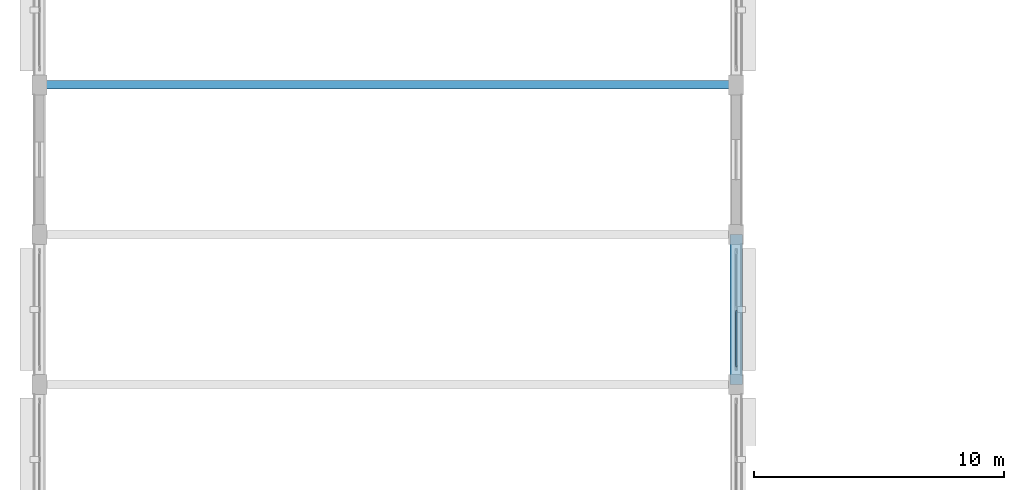
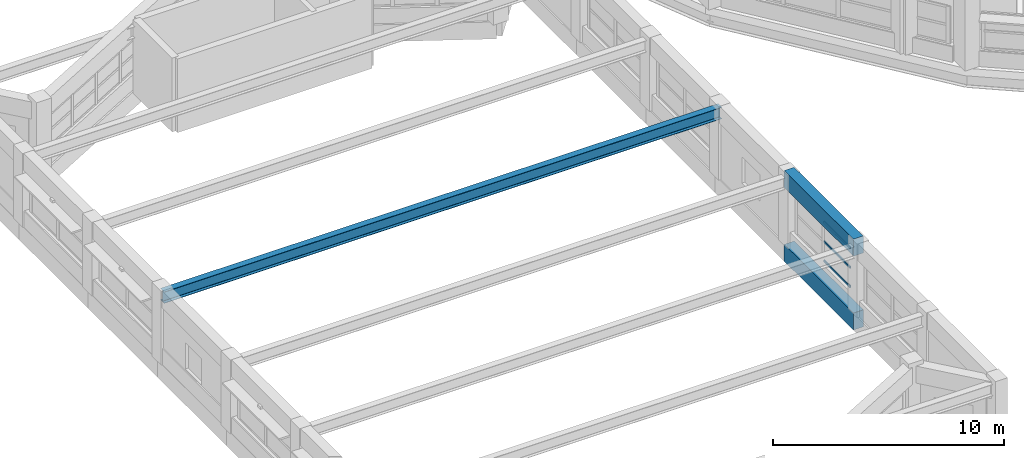
# One storey, part 13 of 108: 3 beams, 3 members, 1 element without a shape of its own.
"""IFC4 building model written with IfcOpenShell, lengths in metres."""

from ifc_helpers import new_model, si_unit, direction, frame, origin, origin_2d, place, context, subcontext, project, spatial, rectangle, hollow_rectangle, i_section, extrude, material, layer, layer_set, material_profile, profile_set, type_object, element, aggregate, save


model = new_model("IFC4")

# Units and contexts
model_context = context("Model", 3, precision=1e-05, world=origin(), true_north=direction((0.0, 1.0)))
body_context = subcontext(model_context, "Body", "Model", "MODEL_VIEW")
ifc_project = project(units=[si_unit("LENGTHUNIT", "METRE"), si_unit("AREAUNIT", "SQUARE_METRE"), si_unit("VOLUMEUNIT", "CUBIC_METRE"), si_unit("PLANEANGLEUNIT", "RADIAN"), si_unit("MASSUNIT", "GRAM", prefix="KILO")], contexts=[model_context])

# Site, building, storey
site_placement = place(None, origin())
site = spatial("IfcSite", under=ifc_project, at=site_placement, CompositionType="ELEMENT")
building_placement = place(site_placement, origin())
building = spatial("IfcBuilding", under=site, at=building_placement, Name="Vespera Passage Community Centre", CompositionType="ELEMENT")
storey_placement = place(building_placement, frame((0.0, 0.0, 12.60009765625)))
storey = spatial("IfcBuildingStorey", under=building, at=storey_placement, Name="L03", CompositionType="ELEMENT", Elevation=12.60009765625)

# Beams
ifc_material_1 = material(Name="Steel ASTM A992 Grade 50", Category="steel")
ifc_material_profile_1 = material_profile(ifc_material_1, i_section(OverallWidth=0.323974609375, OverallDepth=0.611083984375, WebThickness=0.0126953125, FlangeThickness=0.01904296875, FilletRadius=0.0126953125, at=origin_2d()), Name="W24X104")
ifc_profile_set_1 = profile_set([ifc_material_profile_1], Name="Steel ASTM A992 Grade 50")
beam_type_1 = type_object("IfcBeamType", Name="BM-G-W24X104", PredefinedType="BEAM", material=ifc_profile_set_1)
beam_placement = place(storey_placement, frame((4.050048828125, 31.0, 3.314453125), z_axis=(1.0, 0.0, 0.0), x_axis=(0.0, 1.0, 0.0)))
element("IfcBeam", 1, at=beam_placement, inside=storey, type_object=beam_type_1, Name="Main Hall Vault Thrust Tie 5", PredefinedType="BEAM", context=body_context, shape_type="SweptSolid", body=[
    extrude(i_section(OverallWidth=0.323974609375, OverallDepth=0.611083984375, WebThickness=0.0126953125, FlangeThickness=0.01904296875, FilletRadius=0.0126953125, at=origin_2d()), origin(), (0.0, 0.0, 1.0), 27.89990234375),
])
ifc_material_2 = material(Name="Concrete f'c 45 MPa", Category="concrete")
ifc_material_profile_2 = material_profile(ifc_material_2, rectangle(XDim=0.5, YDim=0.89990234375, at=origin_2d()), Name="RC500X900")
ifc_profile_set_2 = profile_set([ifc_material_profile_2], Name="Concrete f'c 45 MPa")
beam_type_2 = type_object("IfcBeamType", Name="BM-SP-500X900E", PredefinedType="SPANDREL", material=ifc_profile_set_2)
for number, where, z_axis, x_axis, name in (
    (2, (31.949951171875, 19.0, 3.449951171875), (0.0, 1.0, 0.0), (-1.0, 0.0, 0.0), "Main Hall Eave Ring Girder E3"),
    (3, (31.949951171875, 19.0, -0.4501953125), (0.0, 1.0, 0.0), (-1.0, 0.0, 0.0), "V1 L03 Spandrel E3"),
):
    element("IfcBeam", number, at=place(storey_placement, frame(where, z_axis=z_axis, x_axis=x_axis)), inside=storey, type_object=beam_type_2, Name=name, PredefinedType="SPANDREL", context=body_context, shape_type="SweptSolid", body=[
        extrude(rectangle(XDim=0.5, YDim=0.89990234375, at=origin_2d()), origin(), (0.0, 0.0, 1.0), 6.0),
    ])

# Curtain wall, members
ifc_material_3 = material(Name="Anodized aluminium 6063-T6", Category="aluminium")
ifc_layer = layer(ifc_material_3, 0.159912109375)
ifc_layer_set = layer_set([ifc_layer], Name="Anodized aluminium 6063-T6")
curtain_wall_type = type_object("IfcCurtainWallType", Name="CW-86E", PredefinedType="NOTDEFINED", material=ifc_layer_set)
curtain_wall_placement = place(storey_placement, origin())
curtain_wall = element("IfcCurtainWall", 4, at=curtain_wall_placement, inside=storey, type_object=curtain_wall_type, Name="Main Hall Acoustic Curtain Wall L03 E3", PredefinedType="NOTDEFINED")
ifc_material_4 = material(Name="Anodized aluminium 6063-T6", Category="aluminium")
ifc_material_profile_3 = material_profile(ifc_material_4, hollow_rectangle(XDim=0.06005859375, YDim=0.1201171875, WallThickness=0.00390625, InnerFilletRadius=0.001953125, OuterFilletRadius=0.00390625, at=origin_2d()), Name="ALU120X60X4")
ifc_profile_set_3 = profile_set([ifc_material_profile_3], Name="Anodized aluminium 6063-T6")
member_type = type_object("IfcMemberType", Name="MB-CWT-120E", PredefinedType="USERDEFINED", material=ifc_profile_set_3)
member_1_placement = place(storey_placement, frame((31.949951171875, 21.96240234375, 0.8798828125), z_axis=(0.0, -1.0, 0.0), x_axis=(1.0, 0.0, 0.0)))
member_1 = element("IfcMember", 5, at=member_1_placement, type_object=member_type, Name="CW-86E transom 2.1", ObjectType="TRANSOM", PredefinedType="USERDEFINED", context=body_context, shape_type="SweptSolid", body=[
    extrude(hollow_rectangle(XDim=0.06005859375, YDim=0.1201171875, WallThickness=0.00390625, InnerFilletRadius=0.001953125, OuterFilletRadius=0.00390625, at=origin_2d()), origin(), (0.0, 0.0, 1.0), 2.262451171875),
])
member_2_placement = place(storey_placement, frame((31.949951171875, 21.96240234375, 1.907470703125), z_axis=(0.0, -1.0, 0.0), x_axis=(1.0, 0.0, 0.0)))
member_2 = element("IfcMember", 6, at=member_2_placement, type_object=member_type, Name="CW-86E transom 2.2", ObjectType="TRANSOM", PredefinedType="USERDEFINED", context=body_context, shape_type="SweptSolid", body=[
    extrude(hollow_rectangle(XDim=0.06005859375, YDim=0.1201171875, WallThickness=0.00390625, InnerFilletRadius=0.001953125, OuterFilletRadius=0.00390625, at=origin_2d()), origin(), (0.0, 0.0, 1.0), 2.262451171875),
])
member_3_placement = place(storey_placement, frame((31.949951171875, 21.96240234375, 2.934814453125), z_axis=(0.0, -1.0, 0.0), x_axis=(1.0, 0.0, 0.0)))
member_3 = element("IfcMember", 7, at=member_3_placement, type_object=member_type, Name="CW-86E transom 2.3", ObjectType="TRANSOM", PredefinedType="USERDEFINED", context=body_context, shape_type="SweptSolid", body=[
    extrude(hollow_rectangle(XDim=0.06005859375, YDim=0.1201171875, WallThickness=0.00390625, InnerFilletRadius=0.001953125, OuterFilletRadius=0.00390625, at=origin_2d()), origin(), (0.0, 0.0, 1.0), 2.262451171875),
])
aggregate(curtain_wall, [member_1, member_2, member_3])

save(model, "model.ifc")
